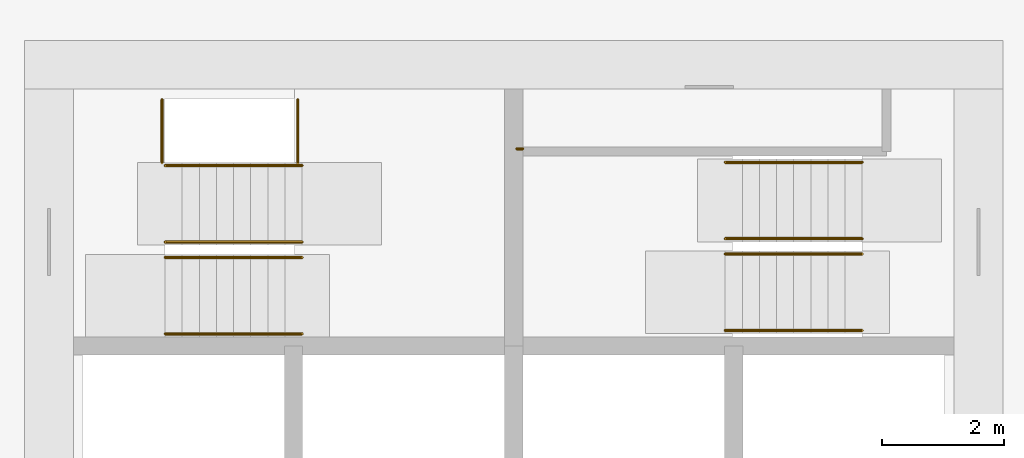
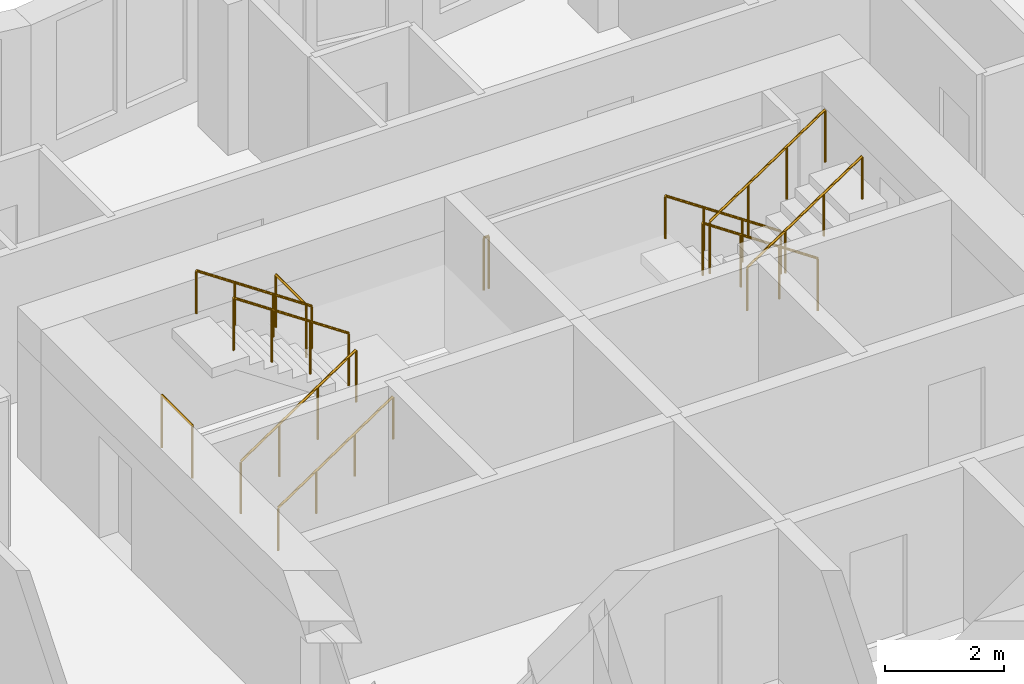
# One storey, part 12 of 13: 11 railings.
"""IFC4 building model written with IfcOpenShell, lengths in metres."""

from ifc_helpers import new_model, si_unit, direction, frame, origin, origin_2d, place, context, subcontext, project, spatial, circle, extrude, material, type_object, element, save


model = new_model("IFC4")

# Units and contexts
model_context = context("Model", 3, precision=1e-05, world=origin(), true_north=direction((0.0, 1.0)))
body_context = subcontext(model_context, "Body", "Model", "MODEL_VIEW")
ifc_project = project(units=[si_unit("LENGTHUNIT", "METRE"), si_unit("AREAUNIT", "SQUARE_METRE"), si_unit("VOLUMEUNIT", "CUBIC_METRE"), si_unit("PLANEANGLEUNIT", "RADIAN"), si_unit("MASSUNIT", "GRAM", prefix="KILO")], contexts=[model_context])

# Site, building, storey
site_placement = place(None, origin())
site = spatial("IfcSite", under=ifc_project, at=site_placement, CompositionType="ELEMENT")
building_placement = place(site_placement, origin())
building = spatial("IfcBuilding", under=site, at=building_placement, Name="Windrow Commons", CompositionType="ELEMENT")
storey_placement = place(building_placement, frame((0.0, 0.0, 108.4)))
storey = spatial("IfcBuildingStorey", under=building, at=storey_placement, Name="L29", CompositionType="ELEMENT", Elevation=108.4)

# Railings
ifc_material_1 = material(Name="Steel S355", Category="steel")
railing_type_1 = type_object("IfcRailingType", Name="Core stair guard 1100", PredefinedType="GUARDRAIL", material=ifc_material_1)
railing_1_placement = place(storey_placement, frame((59.1, 62.05, 0.1889)))
element("IfcRailing", 1, at=railing_1_placement, inside=storey, type_object=railing_type_1, Name="L29 ST-A1 stair guard 1", PredefinedType="GUARDRAIL", context=body_context, shape_type="SweptSolid", body=[
    extrude(circle(Radius=0.024, at=origin_2d()), frame((0.0, 0.0, 1.076), z_axis=(0.8290030985, 0.0, 0.5592440099), x_axis=(0.0, 1.0, 0.0)), (0.0, 0.0, 1.0), 2.702),
    extrude(circle(Radius=0.021, at=origin_2d()), origin(), (0.0, 0.0, 1.0), 1.052),
    extrude(circle(Radius=0.021, at=origin_2d()), frame((0.7467, 0.0, 0.5037)), (0.0, 0.0, 1.0), 1.052),
    extrude(circle(Radius=0.021, at=origin_2d()), frame((1.4933, 0.0, 1.0074)), (0.0, 0.0, 1.0), 1.052),
    extrude(circle(Radius=0.021, at=origin_2d()), frame((2.24, 0.0, 1.5111)), (0.0, 0.0, 1.0), 1.052),
])
railing_2_placement = place(storey_placement, frame((61.34, 62.3, 1.8889)))
element("IfcRailing", 2, at=railing_2_placement, inside=storey, type_object=railing_type_1, Name="L29 ST-A1 stair guard 2", PredefinedType="GUARDRAIL", context=body_context, shape_type="SweptSolid", body=[
    extrude(circle(Radius=0.024, at=origin_2d()), frame((0.0, 0.0, 1.076), z_axis=(-0.8290030985, 0.0, 0.5592440099), x_axis=(0.0, -1.0, 0.0)), (0.0, 0.0, 1.0), 2.702),
    extrude(circle(Radius=0.021, at=origin_2d()), origin(), (0.0, 0.0, 1.0), 1.052),
    extrude(circle(Radius=0.021, at=origin_2d()), frame((-0.7467, 0.0, 0.5037)), (0.0, 0.0, 1.0), 1.052),
    extrude(circle(Radius=0.021, at=origin_2d()), frame((-1.4933, 0.0, 1.0074)), (0.0, 0.0, 1.0), 1.052),
    extrude(circle(Radius=0.021, at=origin_2d()), frame((-2.24, 0.0, 1.5111)), (0.0, 0.0, 1.0), 1.052),
])
for number, where, name in (
    (3, (59.05, 63.6, 0.0), "L29 ST-A1 stair guard 3"),
    (4, (61.27, 63.6, 1.7), "L29 ST-A1 stair guard 4"),
):
    element("IfcRailing", number, at=place(storey_placement, frame(where)), inside=storey, type_object=railing_type_1, Name=name, PredefinedType="GUARDRAIL", context=body_context, shape_type="SweptSolid", body=[
        extrude(circle(Radius=0.024, at=origin_2d()), frame((0.0, 0.0, 1.076), z_axis=(0.0, 1.0, 0.0), x_axis=(-1.0, 0.0, 0.0)), (0.0, 0.0, 1.0), 1.03),
        extrude(circle(Radius=0.021, at=origin_2d()), origin(), (0.0, 0.0, 1.0), 1.052),
        extrude(circle(Radius=0.021, at=origin_2d()), frame((0.0, 1.03, 0.0)), (0.0, 0.0, 1.0), 1.052),
    ])
railing_3_placement = place(storey_placement, frame((70.5, 62.355, 0.1889)))
element("IfcRailing", 5, at=railing_3_placement, inside=storey, type_object=railing_type_1, Name="L29 ST-A2 stair guard 1", PredefinedType="GUARDRAIL", context=body_context, shape_type="SweptSolid", body=[
    extrude(circle(Radius=0.024, at=origin_2d()), frame((0.0, 0.0, 1.076), z_axis=(-0.8290030985, 0.0, 0.5592440099), x_axis=(0.0, -1.0, 0.0)), (0.0, 0.0, 1.0), 2.702),
    extrude(circle(Radius=0.021, at=origin_2d()), origin(), (0.0, 0.0, 1.0), 1.052),
    extrude(circle(Radius=0.021, at=origin_2d()), frame((-0.7467, 0.0, 0.5037)), (0.0, 0.0, 1.0), 1.052),
    extrude(circle(Radius=0.021, at=origin_2d()), frame((-1.4933, 0.0, 1.0074)), (0.0, 0.0, 1.0), 1.052),
    extrude(circle(Radius=0.021, at=origin_2d()), frame((-2.24, 0.0, 1.5111)), (0.0, 0.0, 1.0), 1.052),
])
railing_4_placement = place(storey_placement, frame((68.26, 62.105, 1.8889)))
element("IfcRailing", 6, at=railing_4_placement, inside=storey, type_object=railing_type_1, Name="L29 ST-A2 stair guard 2", PredefinedType="GUARDRAIL", context=body_context, shape_type="SweptSolid", body=[
    extrude(circle(Radius=0.024, at=origin_2d()), frame((0.0, 0.0, 1.076), z_axis=(0.8290030985, 0.0, 0.5592440099), x_axis=(0.0, 1.0, 0.0)), (0.0, 0.0, 1.0), 2.702),
    extrude(circle(Radius=0.021, at=origin_2d()), origin(), (0.0, 0.0, 1.0), 1.052),
    extrude(circle(Radius=0.021, at=origin_2d()), frame((0.7467, 0.0, 0.5037)), (0.0, 0.0, 1.0), 1.052),
    extrude(circle(Radius=0.021, at=origin_2d()), frame((1.4933, 0.0, 1.0074)), (0.0, 0.0, 1.0), 1.052),
    extrude(circle(Radius=0.021, at=origin_2d()), frame((2.24, 0.0, 1.5111)), (0.0, 0.0, 1.0), 1.052),
])
railing_5_placement = place(storey_placement, frame((64.95, 63.825, 1.7)))
element("IfcRailing", 7, at=railing_5_placement, inside=storey, type_object=railing_type_1, Name="L29 ST-A2 stair guard 3", PredefinedType="GUARDRAIL", context=body_context, shape_type="SweptSolid", body=[
    extrude(circle(Radius=0.024, at=origin_2d()), frame((0.0, 0.0, 1.076), z_axis=(-1.0, 0.0, 0.0), x_axis=(0.0, -1.0, 0.0)), (0.0, 0.0, 1.0), 0.1),
    extrude(circle(Radius=0.021, at=origin_2d()), origin(), (0.0, 0.0, 1.0), 1.052),
    extrude(circle(Radius=0.021, at=origin_2d()), frame((-0.1, 0.0, 0.0)), (0.0, 0.0, 1.0), 1.052),
])
ifc_material_2 = material(Name="Steel S355", Category="steel")
railing_type_2 = type_object("IfcRailingType", Name="Core stair handrail 900", PredefinedType="HANDRAIL", material=ifc_material_2)
railing_6_placement = place(storey_placement, frame((59.1, 60.8, 0.1889)))
element("IfcRailing", 8, at=railing_6_placement, inside=storey, type_object=railing_type_2, Name="L29 ST-A1 stair handrail 1", PredefinedType="HANDRAIL", context=body_context, shape_type="SweptSolid", body=[
    extrude(circle(Radius=0.024, at=origin_2d()), frame((0.0, 0.0, 0.876), z_axis=(0.8290030985, 0.0, 0.5592440099), x_axis=(0.0, 1.0, 0.0)), (0.0, 0.0, 1.0), 2.702),
    extrude(circle(Radius=0.021, at=origin_2d()), origin(), (0.0, 0.0, 1.0), 0.852),
    extrude(circle(Radius=0.021, at=origin_2d()), frame((0.7467, 0.0, 0.5037)), (0.0, 0.0, 1.0), 0.852),
    extrude(circle(Radius=0.021, at=origin_2d()), frame((1.4933, 0.0, 1.0074)), (0.0, 0.0, 1.0), 0.852),
    extrude(circle(Radius=0.021, at=origin_2d()), frame((2.24, 0.0, 1.5111)), (0.0, 0.0, 1.0), 0.852),
])
for number, where, name in (
    (9, (61.34, 63.55, 1.8889), "L29 ST-A1 stair handrail 2"),
    (10, (70.5, 63.605, 0.1889), "L29 ST-A2 stair handrail 1"),
):
    element("IfcRailing", number, at=place(storey_placement, frame(where)), inside=storey, type_object=railing_type_2, Name=name, PredefinedType="HANDRAIL", context=body_context, shape_type="SweptSolid", body=[
        extrude(circle(Radius=0.024, at=origin_2d()), frame((0.0, 0.0, 0.876), z_axis=(-0.8290030985, 0.0, 0.5592440099), x_axis=(0.0, -1.0, 0.0)), (0.0, 0.0, 1.0), 2.702),
        extrude(circle(Radius=0.021, at=origin_2d()), origin(), (0.0, 0.0, 1.0), 0.852),
        extrude(circle(Radius=0.021, at=origin_2d()), frame((-0.7467, 0.0, 0.5037)), (0.0, 0.0, 1.0), 0.852),
        extrude(circle(Radius=0.021, at=origin_2d()), frame((-1.4933, 0.0, 1.0074)), (0.0, 0.0, 1.0), 0.852),
        extrude(circle(Radius=0.021, at=origin_2d()), frame((-2.24, 0.0, 1.5111)), (0.0, 0.0, 1.0), 0.852),
    ])
railing_7_placement = place(storey_placement, frame((68.26, 60.855, 1.8889)))
element("IfcRailing", 11, at=railing_7_placement, inside=storey, type_object=railing_type_2, Name="L29 ST-A2 stair handrail 2", PredefinedType="HANDRAIL", context=body_context, shape_type="SweptSolid", body=[
    extrude(circle(Radius=0.024, at=origin_2d()), frame((0.0, 0.0, 0.876), z_axis=(0.8290030985, 0.0, 0.5592440099), x_axis=(0.0, 1.0, 0.0)), (0.0, 0.0, 1.0), 2.702),
    extrude(circle(Radius=0.021, at=origin_2d()), origin(), (0.0, 0.0, 1.0), 0.852),
    extrude(circle(Radius=0.021, at=origin_2d()), frame((0.7467, 0.0, 0.5037)), (0.0, 0.0, 1.0), 0.852),
    extrude(circle(Radius=0.021, at=origin_2d()), frame((1.4933, 0.0, 1.0074)), (0.0, 0.0, 1.0), 0.852),
    extrude(circle(Radius=0.021, at=origin_2d()), frame((2.24, 0.0, 1.5111)), (0.0, 0.0, 1.0), 0.852),
])

save(model, "model.ifc")
